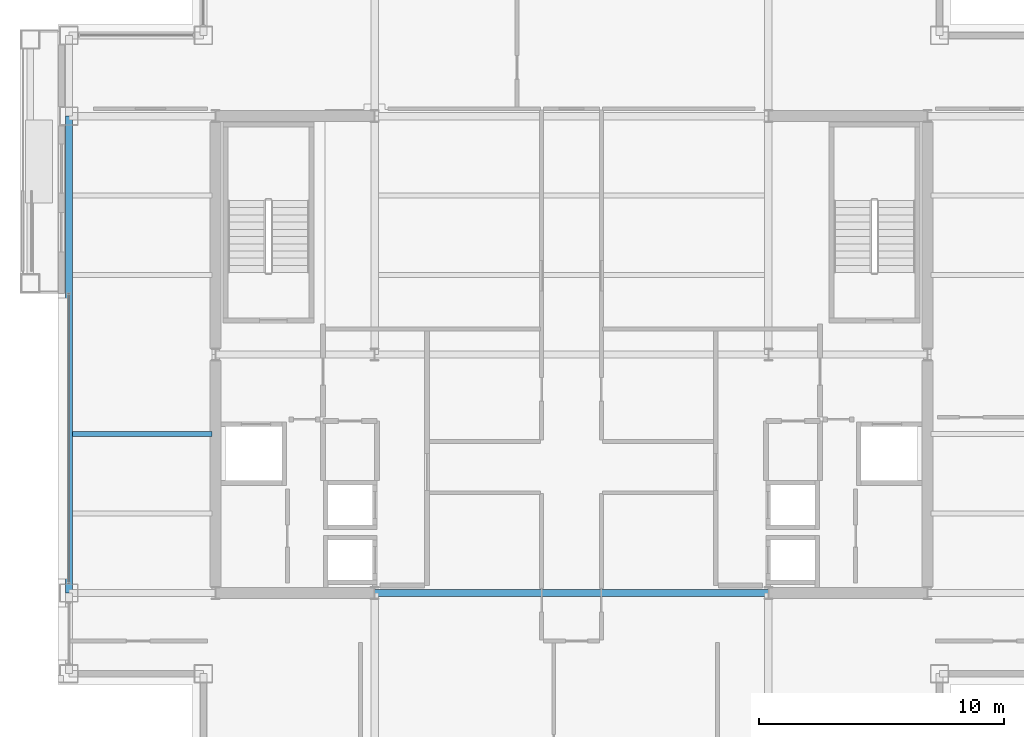
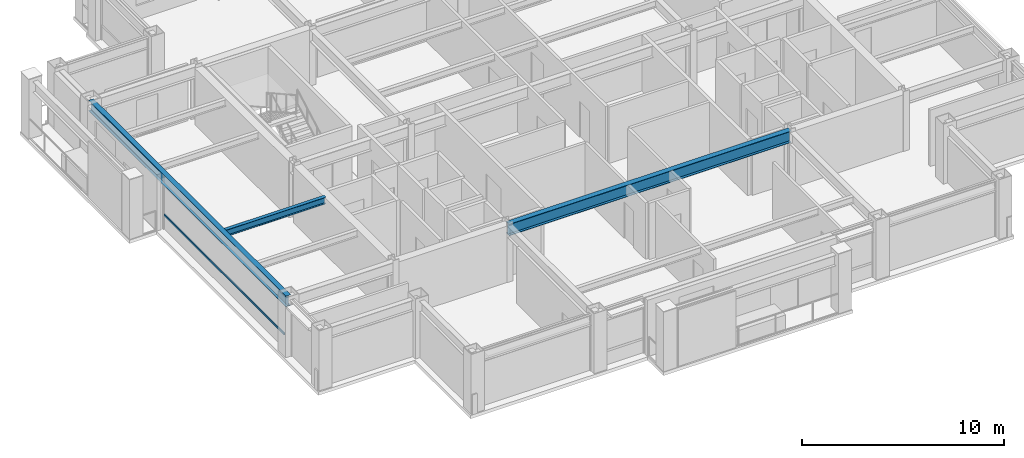
# One storey, part 8 of 27: 3 beams, 1 member, 1 element without a shape of its own.
"""IFC4 building model written with IfcOpenShell, lengths in metres."""

from ifc_helpers import new_model, si_unit, direction, frame, origin, origin_2d, place, context, subcontext, project, spatial, hollow_rectangle, i_section, extrude, material, layer, layer_set, material_profile, profile_set, type_object, element, aggregate, save


model = new_model("IFC4")

# Units and contexts
model_context = context("Model", 3, precision=1e-05, world=origin(), true_north=direction((0.0, 1.0)))
body_context = subcontext(model_context, "Body", "Model", "MODEL_VIEW")
ifc_project = project(units=[si_unit("LENGTHUNIT", "METRE"), si_unit("AREAUNIT", "SQUARE_METRE"), si_unit("VOLUMEUNIT", "CUBIC_METRE"), si_unit("PLANEANGLEUNIT", "RADIAN"), si_unit("MASSUNIT", "GRAM", prefix="KILO")], contexts=[model_context])

# Site, building, storey
site_placement = place(None, origin())
site = spatial("IfcSite", under=ifc_project, at=site_placement, CompositionType="ELEMENT")
building_placement = place(site_placement, origin())
building = spatial("IfcBuilding", under=site, at=building_placement, Name="Brelmoor Portico Tower", CompositionType="ELEMENT")
storey_placement = place(building_placement, frame((0.0, 0.0, 158.699951171875)))
storey = spatial("IfcBuildingStorey", under=building, at=storey_placement, Name="L41", CompositionType="ELEMENT", Elevation=158.699951171875)

# Beams
ifc_material_1 = material(Name="Steel Q355B", Category="steel")
ifc_material_profile_1 = material_profile(ifc_material_1, i_section(OverallWidth=0.199951171875, OverallDepth=0.39990234375, WebThickness=0.008056640625, FlangeThickness=0.012939453125, at=origin_2d()), Name="HN 400x200x8x13")
ifc_profile_set_1 = profile_set([ifc_material_profile_1], Name="Steel Q355B")
beam_type_1 = type_object("IfcBeamType", Name="BM-JS-400", PredefinedType="JOIST", material=ifc_profile_set_1)
beam_1_placement = place(storey_placement, frame((-20.409912109375, -3.25, 3.199951171875), z_axis=(1.0, 0.0, 0.0), x_axis=(0.0, 1.0, 0.0)))
element("IfcBeam", 1, at=beam_1_placement, inside=storey, type_object=beam_type_1, Name="L41 Secondary Wing Joist JS-W06", PredefinedType="JOIST", context=body_context, shape_type="SweptSolid", body=[
    extrude(i_section(OverallWidth=0.199951171875, OverallDepth=0.39990234375, WebThickness=0.008056640625, FlangeThickness=0.012939453125, at=origin_2d()), origin(), (0.0, 0.0, 1.0), 5.7099609375),
])
ifc_material_profile_2 = material_profile(ifc_material_1, i_section(OverallWidth=0.300048828125, OverallDepth=0.699951171875, WebThickness=0.012939453125, FlangeThickness=0.02392578125, at=origin_2d()), Name="HN 700x300x13x24")
ifc_profile_set_2 = profile_set([ifc_material_profile_2], Name="Steel Q355B")
beam_type_2 = type_object("IfcBeamType", Name="BM-PG-700", PredefinedType="BEAM", material=ifc_profile_set_2)
beam_2_placement = place(storey_placement, frame((-8.050048828125, -9.75, 3.050048828125), z_axis=(1.0, 0.0, 0.0), x_axis=(0.0, 1.0, 0.0)))
element("IfcBeam", 2, at=beam_2_placement, inside=storey, type_object=beam_type_2, Name="L41 Primary Floor Girder PG-13", PredefinedType="BEAM", context=body_context, shape_type="SweptSolid", body=[
    extrude(i_section(OverallWidth=0.300048828125, OverallDepth=0.699951171875, WebThickness=0.012939453125, FlangeThickness=0.02392578125, at=origin_2d()), origin(), (0.0, 0.0, 1.0), 16.10009765625),
])
ifc_material_profile_3 = material_profile(ifc_material_1, i_section(OverallWidth=0.280029296875, OverallDepth=0.64990234375, WebThickness=0.012939453125, FlangeThickness=0.02197265625, at=origin_2d()), Name="HN 650x280x13x22")
ifc_profile_set_3 = profile_set([ifc_material_profile_3], Name="Steel Q355B")
beam_type_3 = type_object("IfcBeamType", Name="BM-SP-650", PredefinedType="SPANDREL", material=ifc_profile_set_3)
beam_3_placement = place(storey_placement, frame((-20.550048828125, -9.75, 3.074951171875), z_axis=(0.0, 1.0, 0.0), x_axis=(-1.0, 0.0, 0.0)))
element("IfcBeam", 3, at=beam_3_placement, inside=storey, type_object=beam_type_3, Name="L41 Perimeter Spandrel Beam SP-12", PredefinedType="SPANDREL", context=body_context, shape_type="SweptSolid", body=[
    extrude(i_section(OverallWidth=0.280029296875, OverallDepth=0.64990234375, WebThickness=0.012939453125, FlangeThickness=0.02197265625, at=origin_2d()), origin(), (0.0, 0.0, 1.0), 19.5),
])

# Curtain wall, member
ifc_material_2 = material(Name="Anodised Aluminium Alloy 6063-T6", Category="aluminium")
ifc_layer = layer(ifc_material_2, 0.179931640625)
ifc_layer_set = layer_set([ifc_layer], Name="Anodised Aluminium Alloy 6063-T6")
curtain_wall_type = type_object("IfcCurtainWallType", Name="CW-TOWER-Z3", PredefinedType="NOTDEFINED", material=ifc_layer_set)
curtain_wall_placement = place(storey_placement, origin())
curtain_wall = element("IfcCurtainWall", 4, at=curtain_wall_placement, inside=storey, type_object=curtain_wall_type, Name="L41 Curtain Wall CW-L41-3L-2", PredefinedType="NOTDEFINED")
ifc_material_profile_4 = material_profile(ifc_material_2, hollow_rectangle(XDim=0.06005859375, YDim=0.125, WallThickness=0.00341796875, at=origin_2d()), Name="ALU TRANSOM 60x125")
ifc_profile_set_4 = profile_set([ifc_material_profile_4], Name="Anodised Aluminium Alloy 6063-T6")
member_type = type_object("IfcMemberType", Name="MB-CW-TRAN-125", PredefinedType="USERDEFINED", material=ifc_profile_set_4)
member_placement = place(storey_placement, frame((-20.550048828125, -9.364990234375, 0.85009765625), z_axis=(0.0, 1.0, 0.0), x_axis=(-1.0, 0.0, 0.0)))
member = element("IfcMember", 5, at=member_placement, type_object=member_type, Name="CW-L41-3L-2 Transom 1-00", ObjectType="TRANSOM", PredefinedType="USERDEFINED", context=body_context, shape_type="SweptSolid", body=[
    extrude(hollow_rectangle(XDim=0.06005859375, YDim=0.125, WallThickness=0.00341796875, at=origin_2d()), origin(), (0.0, 0.0, 1.0), 11.864990234375),
])
aggregate(curtain_wall, [member])

save(model, "model.ifc")
